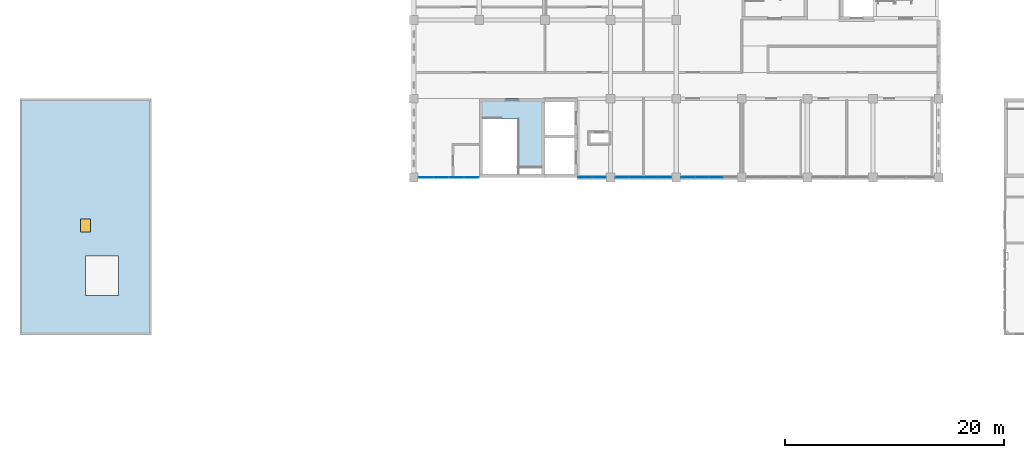
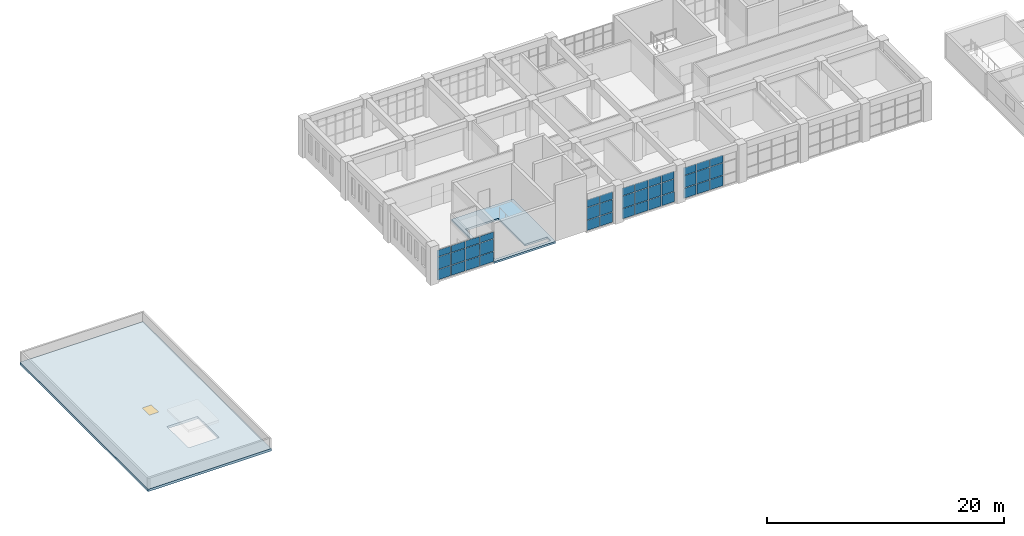
# One storey, part 31 of 51: 39 plates, 2 slabs, 1 window, 1 opening, 4 elements without a shape of their own.
"""IFC4 building model written with IfcOpenShell, lengths in metres."""

from ifc_helpers import new_model, si_unit, direction, frame, origin, origin_2d, place, context, subcontext, project, spatial, polyline, rectangle, outline, extrude, material, layer, layer_set, type_object, element, fill, aggregate, save


model = new_model("IFC4")

# Units and contexts
model_context = context("Model", 3, precision=1e-05, world=origin(), true_north=direction((0.0, 1.0)))
body_context = subcontext(model_context, "Body", "Model", "MODEL_VIEW")
ifc_project = project(units=[si_unit("LENGTHUNIT", "METRE"), si_unit("AREAUNIT", "SQUARE_METRE"), si_unit("VOLUMEUNIT", "CUBIC_METRE"), si_unit("PLANEANGLEUNIT", "RADIAN"), si_unit("MASSUNIT", "GRAM", prefix="KILO")], contexts=[model_context])

# Site, building, storey
site_placement = place(None, origin())
site = spatial("IfcSite", under=ifc_project, at=site_placement, CompositionType="ELEMENT")
building_placement = place(site_placement, origin())
building = spatial("IfcBuilding", under=site, at=building_placement, Name="Laocheng Heights Fire and Rescue Headquarters", CompositionType="ELEMENT")
storey_placement = place(building_placement, frame((0.0, 0.0, 21.0)))
storey = spatial("IfcBuildingStorey", under=building, at=storey_placement, Name="L05", CompositionType="ELEMENT", Elevation=21.0)

# Curtain wall, plates
ifc_material_1 = material(Name="Dark anodised aluminium unitised curtain wall, low-e double glazing", Category="aluminium")
curtain_wall_type_1 = type_object("IfcCurtainWallType", Name="CW 5600 x 3150 HQ SOUTH RIBBON", PredefinedType="NOTDEFINED", material=ifc_material_1)
curtain_wall_1_placement = place(storey_placement, origin())
curtain_wall_1 = element("IfcCurtainWall", 1, at=curtain_wall_1_placement, inside=storey, type_object=curtain_wall_type_1, Name="X14-X HQ SOUTH L05", PredefinedType="NOTDEFINED")
ifc_material_2 = material(Name="Laminated safety glass, low-e double glazed unit", Category="glass")
ifc_layer_1 = layer(ifc_material_2, 0.0400390625)
ifc_layer_set_1 = layer_set([ifc_layer_1], Name="Laminated safety glass, low-e double glazed unit")
plate_type_1 = type_object("IfcPlateType", Name="CW LAMINATED SAFETY PANEL 40 X", PredefinedType="CURTAIN_PANEL", material=ifc_layer_set_1)
plate_1_placement = place(storey_placement, frame((37.114990234375, 50.39990234375, 0.050048828125), z_axis=(0.0, 0.0, 1.0), x_axis=(1.0, 0.0, 0.0)))
plate_1 = element("IfcPlate", 2, at=plate_1_placement, type_object=plate_type_1, Name="X14-X panel 1.1", PredefinedType="CURTAIN_PANEL", context=body_context, shape_type="SweptSolid", body=[
    extrude(rectangle(XDim=1.31005859375, YDim=0.0400390625, at=origin_2d()), origin(), (0.0, 0.0, 1.0), 1.02490234375),
])
plate_2_placement = place(storey_placement, frame((38.5, 50.39990234375, 0.050048828125), z_axis=(0.0, 0.0, 1.0), x_axis=(1.0, 0.0, 0.0)))
plate_2 = element("IfcPlate", 3, at=plate_2_placement, type_object=plate_type_1, Name="X14-X panel 2.1", PredefinedType="CURTAIN_PANEL", context=body_context, shape_type="SweptSolid", body=[
    extrude(rectangle(XDim=1.340087890625, YDim=0.0400390625, at=origin_2d()), origin(), (0.0, 0.0, 1.0), 1.02490234375),
])
plate_3_placement = place(storey_placement, frame((39.89990234375, 50.39990234375, 0.050048828125), z_axis=(0.0, 0.0, 1.0), x_axis=(1.0, 0.0, 0.0)))
plate_3 = element("IfcPlate", 4, at=plate_3_placement, type_object=plate_type_1, Name="X14-X panel 3.1", PredefinedType="CURTAIN_PANEL", context=body_context, shape_type="SweptSolid", body=[
    extrude(rectangle(XDim=1.340087890625, YDim=0.0400390625, at=origin_2d()), origin(), (0.0, 0.0, 1.0), 1.02490234375),
])
plate_4_placement = place(storey_placement, frame((41.284912109375, 50.39990234375, 0.050048828125), z_axis=(0.0, 0.0, 1.0), x_axis=(1.0, 0.0, 0.0)))
plate_4 = element("IfcPlate", 5, at=plate_4_placement, type_object=plate_type_1, Name="X14-X panel 4.1", PredefinedType="CURTAIN_PANEL", context=body_context, shape_type="SweptSolid", body=[
    extrude(rectangle(XDim=1.31005859375, YDim=0.0400390625, at=origin_2d()), origin(), (0.0, 0.0, 1.0), 1.02490234375),
])

ifc_material_3 = material(Name="Dark anodised aluminium unitised curtain wall, low-e double glazing", Category="aluminium")
curtain_wall_type_2 = type_object("IfcCurtainWallType", Name="CW 2600 x 3250 HQ SOUTH RIBBON", PredefinedType="NOTDEFINED", material=ifc_material_3)
curtain_wall_2_placement = place(storey_placement, origin())
curtain_wall_2 = element("IfcCurtainWall", 6, at=curtain_wall_2_placement, inside=storey, type_object=curtain_wall_type_2, Name="X15-X HQ SOUTH L05", PredefinedType="NOTDEFINED")
plate_5_placement = place(storey_placement, frame((51.6650390625, 50.39990234375, 0.050048828125), z_axis=(0.0, 0.0, 1.0), x_axis=(1.0, 0.0, 0.0)))
plate_5 = element("IfcPlate", 7, at=plate_5_placement, type_object=plate_type_1, Name="X15-X panel 1.1", PredefinedType="CURTAIN_PANEL", context=body_context, shape_type="SweptSolid", body=[
    extrude(rectangle(XDim=1.2099609375, YDim=0.0400390625, at=origin_2d()), origin(), (0.0, 0.0, 1.0), 1.02490234375),
])
plate_6_placement = place(storey_placement, frame((52.93505859375, 50.39990234375, 0.050048828125), z_axis=(0.0, 0.0, 1.0), x_axis=(1.0, 0.0, 0.0)))
plate_6 = element("IfcPlate", 8, at=plate_6_placement, type_object=plate_type_1, Name="X15-X panel 2.1", PredefinedType="CURTAIN_PANEL", context=body_context, shape_type="SweptSolid", body=[
    extrude(rectangle(XDim=1.2099609375, YDim=0.0400390625, at=origin_2d()), origin(), (0.0, 0.0, 1.0), 1.02490234375),
])

ifc_material_4 = material(Name="Dark anodised aluminium unitised curtain wall, low-e double glazing", Category="aluminium")
curtain_wall_type_3 = type_object("IfcCurtainWallType", Name="CW 5200 x 3250 HQ SOUTH RIBBON", PredefinedType="NOTDEFINED", material=ifc_material_4)
curtain_wall_3_placement = place(storey_placement, origin())
curtain_wall_3 = element("IfcCurtainWall", 9, at=curtain_wall_3_placement, inside=storey, type_object=curtain_wall_type_3, Name="X16-X HQ SOUTH L05", PredefinedType="NOTDEFINED")
plate_7_placement = place(storey_placement, frame((55.06494140625, 50.39990234375, 0.050048828125), z_axis=(0.0, 0.0, 1.0), x_axis=(1.0, 0.0, 0.0)))
plate_7 = element("IfcPlate", 10, at=plate_7_placement, type_object=plate_type_1, Name="X16-X panel 1.1", PredefinedType="CURTAIN_PANEL", context=body_context, shape_type="SweptSolid", body=[
    extrude(rectangle(XDim=1.2099609375, YDim=0.0400390625, at=origin_2d()), origin(), (0.0, 0.0, 1.0), 1.02490234375),
])
plate_8_placement = place(storey_placement, frame((56.35009765625, 50.39990234375, 0.050048828125), z_axis=(0.0, 0.0, 1.0), x_axis=(1.0, 0.0, 0.0)))
plate_8 = element("IfcPlate", 11, at=plate_8_placement, type_object=plate_type_1, Name="X16-X panel 2.1", PredefinedType="CURTAIN_PANEL", context=body_context, shape_type="SweptSolid", body=[
    extrude(rectangle(XDim=1.239990234375, YDim=0.0400390625, at=origin_2d()), origin(), (0.0, 0.0, 1.0), 1.02490234375),
])
plate_9_placement = place(storey_placement, frame((57.64990234375, 50.39990234375, 0.050048828125), z_axis=(0.0, 0.0, 1.0), x_axis=(1.0, 0.0, 0.0)))
plate_9 = element("IfcPlate", 12, at=plate_9_placement, type_object=plate_type_1, Name="X16-X panel 3.1", PredefinedType="CURTAIN_PANEL", context=body_context, shape_type="SweptSolid", body=[
    extrude(rectangle(XDim=1.239990234375, YDim=0.0400390625, at=origin_2d()), origin(), (0.0, 0.0, 1.0), 1.02490234375),
])
plate_10_placement = place(storey_placement, frame((58.93505859375, 50.39990234375, 0.050048828125), z_axis=(0.0, 0.0, 1.0), x_axis=(1.0, 0.0, 0.0)))
plate_10 = element("IfcPlate", 13, at=plate_10_placement, type_object=plate_type_1, Name="X16-X panel 4.1", PredefinedType="CURTAIN_PANEL", context=body_context, shape_type="SweptSolid", body=[
    extrude(rectangle(XDim=1.2099609375, YDim=0.0400390625, at=origin_2d()), origin(), (0.0, 0.0, 1.0), 1.02490234375),
])

curtain_wall_4_placement = place(storey_placement, origin())
curtain_wall_4 = element("IfcCurtainWall", 14, at=curtain_wall_4_placement, inside=storey, type_object=curtain_wall_type_3, Name="X16-X HQ SOUTH L05", PredefinedType="NOTDEFINED")
plate_11_placement = place(storey_placement, frame((61.06494140625, 50.39990234375, 0.050048828125), z_axis=(0.0, 0.0, 1.0), x_axis=(1.0, 0.0, 0.0)))
plate_11 = element("IfcPlate", 15, at=plate_11_placement, type_object=plate_type_1, Name="X16-X panel 1.1", PredefinedType="CURTAIN_PANEL", context=body_context, shape_type="SweptSolid", body=[
    extrude(rectangle(XDim=1.2099609375, YDim=0.0400390625, at=origin_2d()), origin(), (0.0, 0.0, 1.0), 1.02490234375),
])
plate_12_placement = place(storey_placement, frame((62.35009765625, 50.39990234375, 0.050048828125), z_axis=(0.0, 0.0, 1.0), x_axis=(1.0, 0.0, 0.0)))
plate_12 = element("IfcPlate", 16, at=plate_12_placement, type_object=plate_type_1, Name="X16-X panel 2.1", PredefinedType="CURTAIN_PANEL", context=body_context, shape_type="SweptSolid", body=[
    extrude(rectangle(XDim=1.239990234375, YDim=0.0400390625, at=origin_2d()), origin(), (0.0, 0.0, 1.0), 1.02490234375),
])
plate_13_placement = place(storey_placement, frame((63.64990234375, 50.39990234375, 0.050048828125), z_axis=(0.0, 0.0, 1.0), x_axis=(1.0, 0.0, 0.0)))
plate_13 = element("IfcPlate", 17, at=plate_13_placement, type_object=plate_type_1, Name="X16-X panel 3.1", PredefinedType="CURTAIN_PANEL", context=body_context, shape_type="SweptSolid", body=[
    extrude(rectangle(XDim=1.239990234375, YDim=0.0400390625, at=origin_2d()), origin(), (0.0, 0.0, 1.0), 1.02490234375),
])

# Plate
ifc_material_5 = material(Name="Low-e double glazed unit, laminated inner pane")
ifc_layer_2 = layer(ifc_material_5, 0.028076171875)
ifc_layer_set_2 = layer_set([ifc_layer_2], Name="Low-e double glazed unit, laminated inner pane")
plate_type_2 = type_object("IfcPlateType", Name="CW VISION PANEL 28 X", PredefinedType="CURTAIN_PANEL", material=ifc_layer_set_2)
plate_14_placement = place(storey_placement, frame((37.114990234375, 50.39990234375, 1.125), z_axis=(0.0, 0.0, 1.0), x_axis=(1.0, 0.0, 0.0)))
plate_14 = element("IfcPlate", 18, at=plate_14_placement, type_object=plate_type_2, Name="X14-X panel 1.2", PredefinedType="CURTAIN_PANEL", context=body_context, shape_type="SweptSolid", body=[
    extrude(rectangle(XDim=1.31005859375, YDim=0.028076171875, at=origin_2d()), origin(), (0.0, 0.0, 1.0), 1.25),
])

plate_15_placement = place(storey_placement, frame((37.114990234375, 50.39990234375, 2.4248046875), z_axis=(0.0, 0.0, 1.0), x_axis=(1.0, 0.0, 0.0)))
plate_15 = element("IfcPlate", 19, at=plate_15_placement, type_object=plate_type_2, Name="X14-X panel 1.3", PredefinedType="CURTAIN_PANEL", context=body_context, shape_type="SweptSolid", body=[
    extrude(rectangle(XDim=1.31005859375, YDim=0.028076171875, at=origin_2d()), origin(), (0.0, 0.0, 1.0), 0.675048828125),
])

plate_16_placement = place(storey_placement, frame((38.5, 50.39990234375, 1.125), z_axis=(0.0, 0.0, 1.0), x_axis=(1.0, 0.0, 0.0)))
plate_16 = element("IfcPlate", 20, at=plate_16_placement, type_object=plate_type_2, Name="X14-X panel 2.2", PredefinedType="CURTAIN_PANEL", context=body_context, shape_type="SweptSolid", body=[
    extrude(rectangle(XDim=1.340087890625, YDim=0.028076171875, at=origin_2d()), origin(), (0.0, 0.0, 1.0), 1.25),
])

plate_17_placement = place(storey_placement, frame((38.5, 50.39990234375, 2.4248046875), z_axis=(0.0, 0.0, 1.0), x_axis=(1.0, 0.0, 0.0)))
plate_17 = element("IfcPlate", 21, at=plate_17_placement, type_object=plate_type_2, Name="X14-X panel 2.3", PredefinedType="CURTAIN_PANEL", context=body_context, shape_type="SweptSolid", body=[
    extrude(rectangle(XDim=1.340087890625, YDim=0.028076171875, at=origin_2d()), origin(), (0.0, 0.0, 1.0), 0.675048828125),
])

plate_18_placement = place(storey_placement, frame((39.89990234375, 50.39990234375, 1.125), z_axis=(0.0, 0.0, 1.0), x_axis=(1.0, 0.0, 0.0)))
plate_18 = element("IfcPlate", 22, at=plate_18_placement, type_object=plate_type_2, Name="X14-X panel 3.2", PredefinedType="CURTAIN_PANEL", context=body_context, shape_type="SweptSolid", body=[
    extrude(rectangle(XDim=1.340087890625, YDim=0.028076171875, at=origin_2d()), origin(), (0.0, 0.0, 1.0), 1.25),
])

plate_19_placement = place(storey_placement, frame((39.89990234375, 50.39990234375, 2.4248046875), z_axis=(0.0, 0.0, 1.0), x_axis=(1.0, 0.0, 0.0)))
plate_19 = element("IfcPlate", 23, at=plate_19_placement, type_object=plate_type_2, Name="X14-X panel 3.3", PredefinedType="CURTAIN_PANEL", context=body_context, shape_type="SweptSolid", body=[
    extrude(rectangle(XDim=1.340087890625, YDim=0.028076171875, at=origin_2d()), origin(), (0.0, 0.0, 1.0), 0.675048828125),
])

plate_20_placement = place(storey_placement, frame((41.284912109375, 50.39990234375, 1.125), z_axis=(0.0, 0.0, 1.0), x_axis=(1.0, 0.0, 0.0)))
plate_20 = element("IfcPlate", 24, at=plate_20_placement, type_object=plate_type_2, Name="X14-X panel 4.2", PredefinedType="CURTAIN_PANEL", context=body_context, shape_type="SweptSolid", body=[
    extrude(rectangle(XDim=1.31005859375, YDim=0.028076171875, at=origin_2d()), origin(), (0.0, 0.0, 1.0), 1.25),
])

plate_21_placement = place(storey_placement, frame((41.284912109375, 50.39990234375, 2.4248046875), z_axis=(0.0, 0.0, 1.0), x_axis=(1.0, 0.0, 0.0)))
plate_21 = element("IfcPlate", 25, at=plate_21_placement, type_object=plate_type_2, Name="X14-X panel 4.3", PredefinedType="CURTAIN_PANEL", context=body_context, shape_type="SweptSolid", body=[
    extrude(rectangle(XDim=1.31005859375, YDim=0.028076171875, at=origin_2d()), origin(), (0.0, 0.0, 1.0), 0.675048828125),
])

aggregate(curtain_wall_1, [plate_1, plate_14, plate_15, plate_2, plate_16, plate_17, plate_3, plate_18, plate_19, plate_4, plate_20, plate_21])

plate_22_placement = place(storey_placement, frame((51.6650390625, 50.39990234375, 1.125), z_axis=(0.0, 0.0, 1.0), x_axis=(1.0, 0.0, 0.0)))
plate_22 = element("IfcPlate", 26, at=plate_22_placement, type_object=plate_type_2, Name="X15-X panel 1.2", PredefinedType="CURTAIN_PANEL", context=body_context, shape_type="SweptSolid", body=[
    extrude(rectangle(XDim=1.2099609375, YDim=0.028076171875, at=origin_2d()), origin(), (0.0, 0.0, 1.0), 1.25),
])

plate_23_placement = place(storey_placement, frame((51.6650390625, 50.39990234375, 2.425048828125), z_axis=(0.0, 0.0, 1.0), x_axis=(1.0, 0.0, 0.0)))
plate_23 = element("IfcPlate", 27, at=plate_23_placement, type_object=plate_type_2, Name="X15-X panel 1.3", PredefinedType="CURTAIN_PANEL", context=body_context, shape_type="SweptSolid", body=[
    extrude(rectangle(XDim=1.2099609375, YDim=0.028076171875, at=origin_2d()), origin(), (0.0, 0.0, 1.0), 0.77490234375),
])

plate_24_placement = place(storey_placement, frame((52.93505859375, 50.39990234375, 1.125), z_axis=(0.0, 0.0, 1.0), x_axis=(1.0, 0.0, 0.0)))
plate_24 = element("IfcPlate", 28, at=plate_24_placement, type_object=plate_type_2, Name="X15-X panel 2.2", PredefinedType="CURTAIN_PANEL", context=body_context, shape_type="SweptSolid", body=[
    extrude(rectangle(XDim=1.2099609375, YDim=0.028076171875, at=origin_2d()), origin(), (0.0, 0.0, 1.0), 1.25),
])

plate_25_placement = place(storey_placement, frame((52.93505859375, 50.39990234375, 2.425048828125), z_axis=(0.0, 0.0, 1.0), x_axis=(1.0, 0.0, 0.0)))
plate_25 = element("IfcPlate", 29, at=plate_25_placement, type_object=plate_type_2, Name="X15-X panel 2.3", PredefinedType="CURTAIN_PANEL", context=body_context, shape_type="SweptSolid", body=[
    extrude(rectangle(XDim=1.2099609375, YDim=0.028076171875, at=origin_2d()), origin(), (0.0, 0.0, 1.0), 0.77490234375),
])

aggregate(curtain_wall_2, [plate_5, plate_22, plate_23, plate_6, plate_24, plate_25])

plate_26_placement = place(storey_placement, frame((55.06494140625, 50.39990234375, 1.125), z_axis=(0.0, 0.0, 1.0), x_axis=(1.0, 0.0, 0.0)))
plate_26 = element("IfcPlate", 30, at=plate_26_placement, type_object=plate_type_2, Name="X16-X panel 1.2", PredefinedType="CURTAIN_PANEL", context=body_context, shape_type="SweptSolid", body=[
    extrude(rectangle(XDim=1.2099609375, YDim=0.028076171875, at=origin_2d()), origin(), (0.0, 0.0, 1.0), 1.25),
])

plate_27_placement = place(storey_placement, frame((55.06494140625, 50.39990234375, 2.425048828125), z_axis=(0.0, 0.0, 1.0), x_axis=(1.0, 0.0, 0.0)))
plate_27 = element("IfcPlate", 31, at=plate_27_placement, type_object=plate_type_2, Name="X16-X panel 1.3", PredefinedType="CURTAIN_PANEL", context=body_context, shape_type="SweptSolid", body=[
    extrude(rectangle(XDim=1.2099609375, YDim=0.028076171875, at=origin_2d()), origin(), (0.0, 0.0, 1.0), 0.77490234375),
])

plate_28_placement = place(storey_placement, frame((56.35009765625, 50.39990234375, 1.125), z_axis=(0.0, 0.0, 1.0), x_axis=(1.0, 0.0, 0.0)))
plate_28 = element("IfcPlate", 32, at=plate_28_placement, type_object=plate_type_2, Name="X16-X panel 2.2", PredefinedType="CURTAIN_PANEL", context=body_context, shape_type="SweptSolid", body=[
    extrude(rectangle(XDim=1.239990234375, YDim=0.028076171875, at=origin_2d()), origin(), (0.0, 0.0, 1.0), 1.25),
])

plate_29_placement = place(storey_placement, frame((56.35009765625, 50.39990234375, 2.425048828125), z_axis=(0.0, 0.0, 1.0), x_axis=(1.0, 0.0, 0.0)))
plate_29 = element("IfcPlate", 33, at=plate_29_placement, type_object=plate_type_2, Name="X16-X panel 2.3", PredefinedType="CURTAIN_PANEL", context=body_context, shape_type="SweptSolid", body=[
    extrude(rectangle(XDim=1.239990234375, YDim=0.028076171875, at=origin_2d()), origin(), (0.0, 0.0, 1.0), 0.77490234375),
])

plate_30_placement = place(storey_placement, frame((57.64990234375, 50.39990234375, 1.125), z_axis=(0.0, 0.0, 1.0), x_axis=(1.0, 0.0, 0.0)))
plate_30 = element("IfcPlate", 34, at=plate_30_placement, type_object=plate_type_2, Name="X16-X panel 3.2", PredefinedType="CURTAIN_PANEL", context=body_context, shape_type="SweptSolid", body=[
    extrude(rectangle(XDim=1.239990234375, YDim=0.028076171875, at=origin_2d()), origin(), (0.0, 0.0, 1.0), 1.25),
])

plate_31_placement = place(storey_placement, frame((57.64990234375, 50.39990234375, 2.425048828125), z_axis=(0.0, 0.0, 1.0), x_axis=(1.0, 0.0, 0.0)))
plate_31 = element("IfcPlate", 35, at=plate_31_placement, type_object=plate_type_2, Name="X16-X panel 3.3", PredefinedType="CURTAIN_PANEL", context=body_context, shape_type="SweptSolid", body=[
    extrude(rectangle(XDim=1.239990234375, YDim=0.028076171875, at=origin_2d()), origin(), (0.0, 0.0, 1.0), 0.77490234375),
])

plate_32_placement = place(storey_placement, frame((58.93505859375, 50.39990234375, 1.125), z_axis=(0.0, 0.0, 1.0), x_axis=(1.0, 0.0, 0.0)))
plate_32 = element("IfcPlate", 36, at=plate_32_placement, type_object=plate_type_2, Name="X16-X panel 4.2", PredefinedType="CURTAIN_PANEL", context=body_context, shape_type="SweptSolid", body=[
    extrude(rectangle(XDim=1.2099609375, YDim=0.028076171875, at=origin_2d()), origin(), (0.0, 0.0, 1.0), 1.25),
])

plate_33_placement = place(storey_placement, frame((58.93505859375, 50.39990234375, 2.425048828125), z_axis=(0.0, 0.0, 1.0), x_axis=(1.0, 0.0, 0.0)))
plate_33 = element("IfcPlate", 37, at=plate_33_placement, type_object=plate_type_2, Name="X16-X panel 4.3", PredefinedType="CURTAIN_PANEL", context=body_context, shape_type="SweptSolid", body=[
    extrude(rectangle(XDim=1.2099609375, YDim=0.028076171875, at=origin_2d()), origin(), (0.0, 0.0, 1.0), 0.77490234375),
])

aggregate(curtain_wall_3, [plate_7, plate_26, plate_27, plate_8, plate_28, plate_29, plate_9, plate_30, plate_31, plate_10, plate_32, plate_33])

plate_34_placement = place(storey_placement, frame((61.06494140625, 50.39990234375, 1.125), z_axis=(0.0, 0.0, 1.0), x_axis=(1.0, 0.0, 0.0)))
plate_34 = element("IfcPlate", 38, at=plate_34_placement, type_object=plate_type_2, Name="X16-X panel 1.2", PredefinedType="CURTAIN_PANEL", context=body_context, shape_type="SweptSolid", body=[
    extrude(rectangle(XDim=1.2099609375, YDim=0.028076171875, at=origin_2d()), origin(), (0.0, 0.0, 1.0), 1.25),
])

plate_35_placement = place(storey_placement, frame((61.06494140625, 50.39990234375, 2.425048828125), z_axis=(0.0, 0.0, 1.0), x_axis=(1.0, 0.0, 0.0)))
plate_35 = element("IfcPlate", 39, at=plate_35_placement, type_object=plate_type_2, Name="X16-X panel 1.3", PredefinedType="CURTAIN_PANEL", context=body_context, shape_type="SweptSolid", body=[
    extrude(rectangle(XDim=1.2099609375, YDim=0.028076171875, at=origin_2d()), origin(), (0.0, 0.0, 1.0), 0.77490234375),
])

plate_36_placement = place(storey_placement, frame((62.35009765625, 50.39990234375, 1.125), z_axis=(0.0, 0.0, 1.0), x_axis=(1.0, 0.0, 0.0)))
plate_36 = element("IfcPlate", 40, at=plate_36_placement, type_object=plate_type_2, Name="X16-X panel 2.2", PredefinedType="CURTAIN_PANEL", context=body_context, shape_type="SweptSolid", body=[
    extrude(rectangle(XDim=1.239990234375, YDim=0.028076171875, at=origin_2d()), origin(), (0.0, 0.0, 1.0), 1.25),
])

plate_37_placement = place(storey_placement, frame((62.35009765625, 50.39990234375, 2.425048828125), z_axis=(0.0, 0.0, 1.0), x_axis=(1.0, 0.0, 0.0)))
plate_37 = element("IfcPlate", 41, at=plate_37_placement, type_object=plate_type_2, Name="X16-X panel 2.3", PredefinedType="CURTAIN_PANEL", context=body_context, shape_type="SweptSolid", body=[
    extrude(rectangle(XDim=1.239990234375, YDim=0.028076171875, at=origin_2d()), origin(), (0.0, 0.0, 1.0), 0.77490234375),
])

plate_38_placement = place(storey_placement, frame((63.64990234375, 50.39990234375, 1.125), z_axis=(0.0, 0.0, 1.0), x_axis=(1.0, 0.0, 0.0)))
plate_38 = element("IfcPlate", 42, at=plate_38_placement, type_object=plate_type_2, Name="X16-X panel 3.2", PredefinedType="CURTAIN_PANEL", context=body_context, shape_type="SweptSolid", body=[
    extrude(rectangle(XDim=1.239990234375, YDim=0.028076171875, at=origin_2d()), origin(), (0.0, 0.0, 1.0), 1.25),
])

plate_39_placement = place(storey_placement, frame((63.64990234375, 50.39990234375, 2.425048828125), z_axis=(0.0, 0.0, 1.0), x_axis=(1.0, 0.0, 0.0)))
plate_39 = element("IfcPlate", 43, at=plate_39_placement, type_object=plate_type_2, Name="X16-X panel 3.3", PredefinedType="CURTAIN_PANEL", context=body_context, shape_type="SweptSolid", body=[
    extrude(rectangle(XDim=1.239990234375, YDim=0.028076171875, at=origin_2d()), origin(), (0.0, 0.0, 1.0), 0.77490234375),
])

aggregate(curtain_wall_4, [plate_11, plate_34, plate_35, plate_12, plate_36, plate_37, plate_13, plate_38, plate_39])

# Slab, opening, window
ifc_material_6 = material(Name="Concrete C40", Category="concrete")
ifc_layer_3 = layer(ifc_material_6, 0.25)
ifc_layer_set_3 = layer_set([ifc_layer_3], Name="Concrete C40")
slab_type_1 = type_object("IfcSlabType", Name="RC ROOF SLAB 250 FOYER", PredefinedType="ROOF", material=ifc_layer_set_3)
slab_1_placement = place(storey_placement, frame((0.0, 0.0, -0.25)))
slab_1 = element("IfcSlab", 44, at=slab_1_placement, inside=storey, type_object=slab_type_1, Name="Foyer roof", PredefinedType="ROOF", context=body_context, shape_type="SweptSolid", body=[
    extrude(outline(polyline([(0.0, 36.0), (12.0, 36.0), (12.0, 57.60009765625), (0.0, 57.60009765625), (0.0, 36.0)]), holes=[polyline([(9.0, 43.199951171875), (9.0, 39.60009765625), (6.0, 39.60009765625), (6.0, 43.199951171875), (9.0, 43.199951171875)])]), origin(), (0.0, 0.0, 1.0), 0.25),
])
opening_placement = place(slab_1_placement, frame((6.0, 46.0, 0.0)))
opening = element("IfcOpeningElement", 45, at=opening_placement, cuts=slab_1, Name="Opening N1-O", PredefinedType="OPENING", context=body_context, shape_type="SweptSolid", body=[
    extrude(rectangle(XDim=0.89990234375, YDim=1.199951171875, at=origin_2d()), origin(), (0.0, 0.0, 1.0), 0.25),
])
ifc_material_7 = material(Name="Aluminium framed insulated hatch with glazed curb", Category="aluminium")
window_type = type_object("IfcWindowType", Name="ROOF ACCESS HATCH 900 x 1200", PartitioningType="SINGLE_PANEL", PredefinedType="SKYLIGHT", material=ifc_material_7)
window_placement = place(opening_placement, frame((0.0, 0.0, 0.199951171875)))
window = element("IfcWindow", 46, at=window_placement, inside=storey, type_object=window_type, Name="Roof hatch Foyer", OverallHeight=1.199951171875, OverallWidth=0.89990234375, PartitioningType="SINGLE_PANEL", PredefinedType="SKYLIGHT", context=body_context, shape_type="SweptSolid", body=[
    extrude(rectangle(XDim=0.89990234375, YDim=1.199951171875, at=origin_2d()), origin(), (0.0, 0.0, 1.0), 0.050048828125),
])
fill(opening, window)

# Slab
ifc_material_8 = material(Name="Concrete C40", Category="concrete")
ifc_layer_4 = layer(ifc_material_8, 0.199951171875)
ifc_layer_set_4 = layer_set([ifc_layer_4], Name="Concrete C40")
slab_type_2 = type_object("IfcSlabType", Name="STAIR FLOOR LANDING 200", PredefinedType="LANDING", material=ifc_layer_set_4)
slab_2_placement = place(storey_placement, frame((0.0, 0.0, -0.199951171875)))
element("IfcSlab", 47, at=slab_2_placement, inside=storey, type_object=slab_type_2, Name="Stair H1 floor landing L05", PredefinedType="LANDING", context=body_context, shape_type="SweptSolid", body=[
    extrude(outline(polyline([(42.0, 57.60009765625), (48.0, 57.60009765625), (48.0, 50.39990234375), (42.0, 50.39990234375), (42.0, 57.60009765625)]), holes=[polyline([(44.125, 55.75), (42.300048828125, 55.75), (42.300048828125, 52.373046875), (42.300048828125, 50.699951171875), (44.125, 50.699951171875), (45.52490234375, 50.699951171875), (47.699951171875, 50.699951171875), (47.699951171875, 51.300048828125), (45.52490234375, 51.300048828125), (45.52490234375, 52.670166015625), (45.52490234375, 55.7470703125), (44.125, 55.7470703125), (44.125, 55.75)])]), origin(), (0.0, 0.0, 1.0), 0.199951171875),
])

save(model, "model.ifc")
